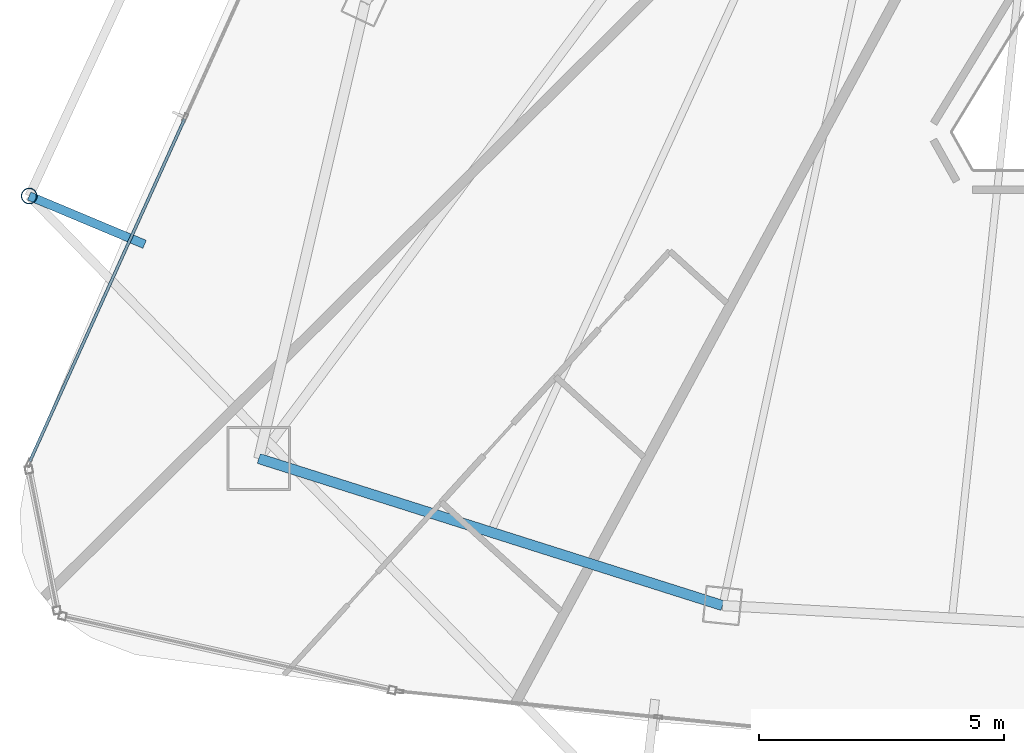
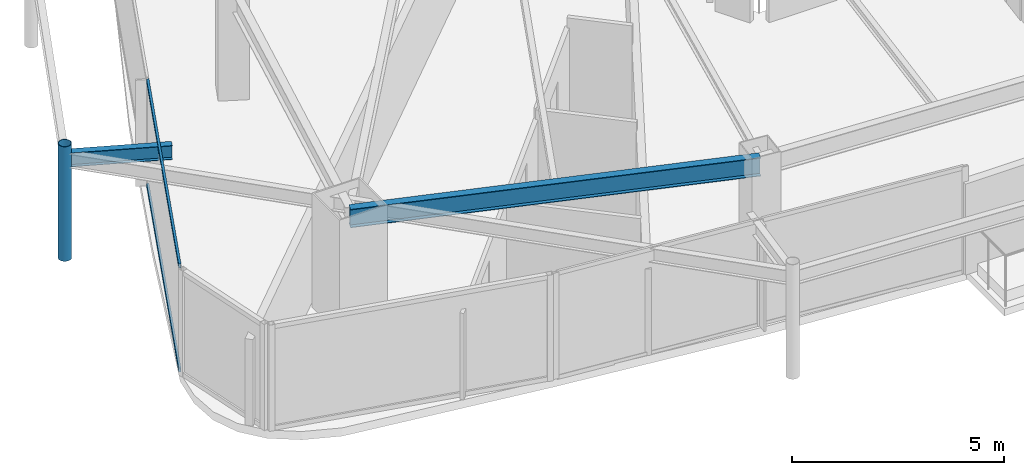
# One storey, part 5 of 33: 3 members, 2 beams, 1 element without a shape of its own.
"""IFC4 building model written with IfcOpenShell, lengths in metres."""

from ifc_helpers import new_model, si_unit, direction, frame, origin, origin_2d, place, context, subcontext, project, spatial, hollow_rectangle, hollow_circle, i_section, extrude, material, layer, layer_set, material_profile, profile_set, type_object, element, aggregate, save


model = new_model("IFC4")

# Units and contexts
model_context = context("Model", 3, precision=1e-05, world=origin(), true_north=direction((0.0, 1.0)))
body_context = subcontext(model_context, "Body", "Model", "MODEL_VIEW")
ifc_project = project(units=[si_unit("LENGTHUNIT", "METRE"), si_unit("AREAUNIT", "SQUARE_METRE"), si_unit("VOLUMEUNIT", "CUBIC_METRE"), si_unit("PLANEANGLEUNIT", "RADIAN"), si_unit("MASSUNIT", "GRAM", prefix="KILO")], contexts=[model_context])

# Site, building, storey
site_placement = place(None, origin())
site = spatial("IfcSite", under=ifc_project, at=site_placement, CompositionType="ELEMENT")
building_placement = place(site_placement, origin())
building = spatial("IfcBuilding", under=site, at=building_placement, Name="Orvanel Arch Residences", CompositionType="ELEMENT")
storey_placement = place(building_placement, frame((0.0, 0.0, 196.39990234375)))
storey = spatial("IfcBuildingStorey", under=building, at=storey_placement, Name="L55", CompositionType="ELEMENT", Elevation=196.39990234375)

# Beams
ifc_material_1 = material(Name="Structural steel AS/NZS 3679.1 Grade 300 (300 MPa)", Category="steel")
ifc_material_profile_1 = material_profile(ifc_material_1, i_section(OverallWidth=0.177978515625, OverallDepth=0.406005859375, WebThickness=0.0078125, FlangeThickness=0.0126953125, at=origin_2d()), Name="410UB59.7")
ifc_profile_set_1 = profile_set([ifc_material_profile_1], Name="Structural steel AS/NZS 3679.1 Grade 300 (300 MPa)")
beam_type_1 = type_object("IfcBeamType", Name="OB-410UB-EXT", PredefinedType="SPANDREL", material=ifc_profile_set_1)
beam_1_placement = place(storey_placement, frame((11.8720703125, 14.716064453125, 2.857177734375), z_axis=(-0.92240132861, 0.386232817066, 0.0), x_axis=(-0.386232817066, -0.92240132861, 0.0)))
element("IfcBeam", 1, at=beam_1_placement, inside=storey, type_object=beam_type_1, Name="L55 Outer Frame Radial Tie Beam 04", PredefinedType="SPANDREL", context=body_context, shape_type="SweptSolid", body=[
    extrude(i_section(OverallWidth=0.177978515625, OverallDepth=0.406005859375, WebThickness=0.0078125, FlangeThickness=0.0126953125, at=origin_2d()), origin(), (0.0, 0.0, 1.0), 2.5498046875),
])
ifc_material_profile_2 = material_profile(ifc_material_1, i_section(OverallWidth=0.208984375, OverallDepth=0.532958984375, WebThickness=0.01025390625, FlangeThickness=0.015625, at=origin_2d()), Name="530UB92.4")
ifc_profile_set_2 = profile_set([ifc_material_profile_2], Name="Structural steel AS/NZS 3679.1 Grade 300 (300 MPa)")
beam_type_2 = type_object("IfcBeamType", Name="SP-530UB", PredefinedType="SPANDREL", material=ifc_profile_set_2)
beam_2_placement = place(storey_placement, frame((14.198974609375, 10.35107421875, 2.794189453125), z_axis=(0.953237386592, -0.302222574941, 0.0), x_axis=(0.302222574941, 0.953237386592, 0.0)))
element("IfcBeam", 2, at=beam_2_placement, inside=storey, type_object=beam_type_2, Name="L55 Perimeter Spandrel Beam 02", PredefinedType="SPANDREL", context=body_context, shape_type="SweptSolid", body=[
    extrude(i_section(OverallWidth=0.208984375, OverallDepth=0.532958984375, WebThickness=0.01025390625, FlangeThickness=0.015625, at=origin_2d()), origin(), (0.0, 0.0, 1.0), 9.91357421875),
])

# Member
ifc_material_2 = material(Name="Structural steel AS/NZS 1163 C350L0 (Grade 350)", Category="steel")
ifc_material_profile_3 = material_profile(ifc_material_2, hollow_circle(Radius=0.162109375, WallThickness=0.0126953125, at=origin_2d()), Name="CHS324x12.7")
ifc_profile_set_3 = profile_set([ifc_material_profile_3], Name="Structural steel AS/NZS 1163 C350L0 (Grade 350)")
member_type_1 = type_object("IfcMemberType", Name="ST-324CHS-EXT", PredefinedType="STRUT", material=ifc_profile_set_3)
member_1_placement = place(storey_placement, frame((9.52001953125, 15.700927734375, 0.0), z_axis=(0.0, 0.0, 1.0), x_axis=(1.0, 0.0, 0.0)))
element("IfcMember", 3, at=member_1_placement, inside=storey, type_object=member_type_1, Name="L55 Outer Perimeter Frame Post 04", PredefinedType="STRUT", context=body_context, shape_type="SweptSolid", body=[
    extrude(hollow_circle(Radius=0.162109375, WallThickness=0.0126953125, at=origin_2d()), origin(), (0.0, 0.0, 1.0), 3.300048828125),
])

# Curtain wall, members
ifc_material_3 = material(Name="Bronze-anodised aluminium AA6063-T6", Category="aluminium")
ifc_layer = layer(ifc_material_3, 0.175048828125)
ifc_layer_set = layer_set([ifc_layer], Name="Bronze-anodised aluminium AA6063-T6")
curtain_wall_type = type_object("IfcCurtainWallType", Name="CW4-HI-SYS", PredefinedType="NOTDEFINED", material=ifc_layer_set)
curtain_wall_placement = place(storey_placement, origin())
curtain_wall = element("IfcCurtainWall", 4, at=curtain_wall_placement, inside=storey, type_object=curtain_wall_type, Name="L55 CW4-HI-SYS Unitised Curtain Wall", PredefinedType="NOTDEFINED")
ifc_material_profile_4 = material_profile(ifc_material_3, hollow_rectangle(XDim=0.06005859375, YDim=0.1201171875, WallThickness=0.00341796875, at=origin_2d()), Name="ALU120x60x3.5")
ifc_profile_set_4 = profile_set([ifc_material_profile_4], Name="Bronze-anodised aluminium AA6063-T6")
member_type_2 = type_object("IfcMemberType", Name="TRN-120x60", PredefinedType="USERDEFINED", material=ifc_profile_set_4)
member_2_placement = place(storey_placement, frame((12.6865234375, 17.269775390625, 0.030029296875), z_axis=(-0.411769539128, -0.911288015199, 0.0), x_axis=(0.911288015199, -0.411769539128, 0.0)))
member_2 = element("IfcMember", 5, at=member_2_placement, type_object=member_type_2, Name="CW-S4 transom 2.1", ObjectType="TRANSOM", PredefinedType="USERDEFINED", context=body_context, shape_type="SweptSolid", body=[
    extrude(hollow_rectangle(XDim=0.06005859375, YDim=0.1201171875, WallThickness=0.00341796875, at=origin_2d()), origin(), (0.0, 0.0, 1.0), 7.65673828125),
])
member_3_placement = place(storey_placement, frame((12.6865234375, 17.269775390625, 3.030029296875), z_axis=(-0.411769539128, -0.911288015199, 0.0), x_axis=(0.911288015199, -0.411769539128, 0.0)))
member_3 = element("IfcMember", 6, at=member_3_placement, type_object=member_type_2, Name="CW-S4 transom 2.2", ObjectType="TRANSOM", PredefinedType="USERDEFINED", context=body_context, shape_type="SweptSolid", body=[
    extrude(hollow_rectangle(XDim=0.06005859375, YDim=0.1201171875, WallThickness=0.00341796875, at=origin_2d()), origin(), (0.0, 0.0, 1.0), 7.65673828125),
])
aggregate(curtain_wall, [member_2, member_3])

save(model, "model.ifc")
